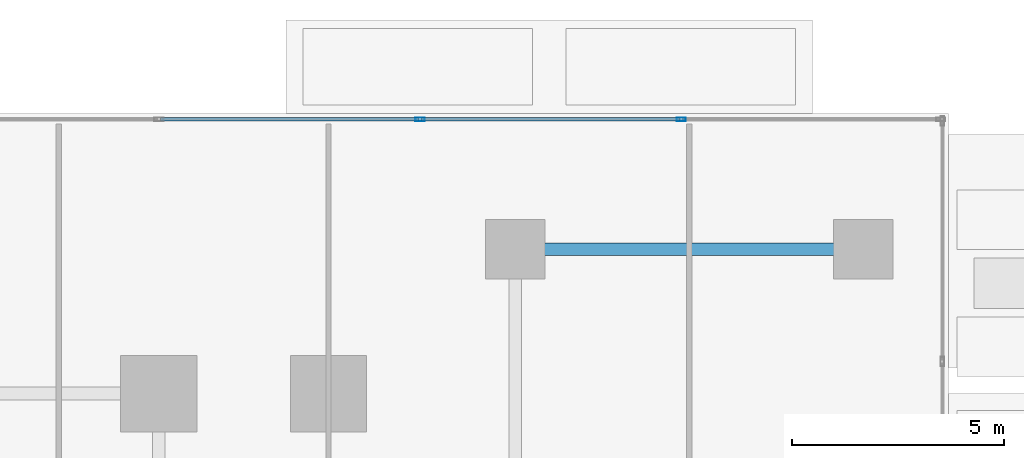
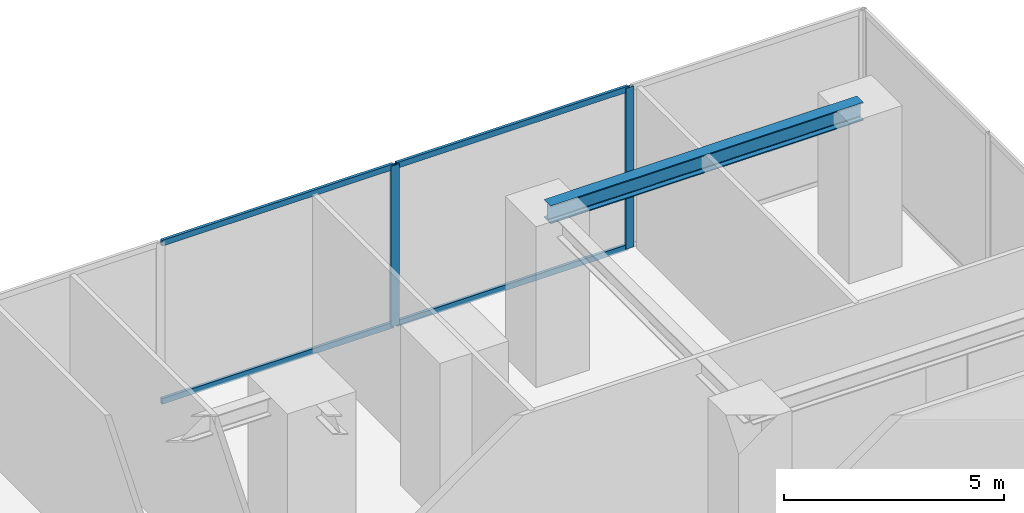
# One storey, part 4 of 17: 6 members, 1 beam, 1 element without a shape of its own.
"""IFC4 building model written with IfcOpenShell, lengths in metres."""

from ifc_helpers import new_model, si_unit, direction, frame, origin, origin_with_axes, origin_2d, place, context, subcontext, project, spatial, hollow_rectangle, i_section, extrude, source, transform, mapped, material, layer, layer_set, material_profile, profile_set, type_object, element, aggregate, save


model = new_model("IFC4")

# Units and contexts
model_context = context("Model", 3, precision=1e-05, world=origin(), true_north=direction((0.0, 1.0)))
body_context = subcontext(model_context, "Body", "Model", "MODEL_VIEW")
ifc_project = project(units=[si_unit("LENGTHUNIT", "METRE"), si_unit("AREAUNIT", "SQUARE_METRE"), si_unit("VOLUMEUNIT", "CUBIC_METRE"), si_unit("PLANEANGLEUNIT", "RADIAN"), si_unit("MASSUNIT", "GRAM", prefix="KILO")], contexts=[model_context])

# Site, building, storey
site_placement = place(None, origin())
site = spatial("IfcSite", under=ifc_project, at=site_placement, CompositionType="ELEMENT")
building_placement = place(site_placement, origin())
building = spatial("IfcBuilding", under=site, at=building_placement, Name="Kolvaren Waterfront Exchange", CompositionType="ELEMENT")
storey_placement = place(building_placement, frame((0.0, 0.0, 5.60009765625)))
storey = spatial("IfcBuildingStorey", under=building, at=storey_placement, Name="L02", CompositionType="ELEMENT", Elevation=5.60009765625)

# Beam
ifc_material_1 = material(Name="Steel S355", Category="steel")
ifc_material_profile_1 = material_profile(ifc_material_1, i_section(OverallWidth=0.300048828125, OverallDepth=0.5, WebThickness=0.014404296875, FlangeThickness=0.028076171875, FilletRadius=0.027099609375, at=origin_2d()), Name="HEB500")
ifc_profile_set_1 = profile_set([ifc_material_profile_1], Name="Steel S355")
beam_type = type_object("IfcBeamType", Name="STR-BM-HEB500", PredefinedType="BEAM", material=ifc_profile_set_1)
beam_placement = place(storey_placement, frame((27.199951171875, 48.0, 4.2099609375), z_axis=(1.0, 0.0, 0.0), x_axis=(0.0, 1.0, 0.0)))
element("IfcBeam", 1, at=beam_placement, inside=storey, type_object=beam_type, Name="L02 podium north girder 2", PredefinedType="BEAM", context=body_context, shape_type="SweptSolid", body=[
    extrude(i_section(OverallWidth=0.300048828125, OverallDepth=0.5, WebThickness=0.014404296875, FlangeThickness=0.028076171875, FilletRadius=0.027099609375, at=origin_2d()), origin(), (0.0, 0.0, 1.0), 8.199951171875),
])

# Curtain wall, members
ifc_material_2 = material(Name="Anodised bronze aluminium 6063-T6", Category="aluminium")
ifc_layer = layer(ifc_material_2, 0.219970703125, Name="Anodised bronze aluminium 6063-T6")
ifc_layer_set = layer_set([ifc_layer], Name="Anodised bronze aluminium 6063-T6")
curtain_wall_type = type_object("IfcCurtainWallType", Name="ARC-CW-SYS1", PredefinedType="USERDEFINED", material=ifc_layer_set)
curtain_wall_placement = place(storey_placement, origin())
curtain_wall = element("IfcCurtainWall", 2, at=curtain_wall_placement, inside=storey, type_object=curtain_wall_type, Name="L02 stick curtain wall CW1 (CW-L02-N2)", ObjectType="STICK CURTAIN WALL", PredefinedType="USERDEFINED")
ifc_material_3 = material(Name="Anodised aluminium 6063-T6", Category="aluminium")
ifc_material_profile_2 = material_profile(ifc_material_3, hollow_rectangle(XDim=0.080078125, YDim=0.219970703125, WallThickness=0.0048828125, at=origin_2d()), Name="ALU-MUL-220x80x5")
ifc_profile_set_2 = profile_set([ifc_material_profile_2], Name="Anodised aluminium 6063-T6")
member_type_1 = type_object("IfcMemberType", Name="ARC-CWM-220", PredefinedType="MULLION", material=ifc_profile_set_2)
shared_shape_1 = source(origin_with_axes(), body_context, "Body", "SweptSolid", [
    extrude(hollow_rectangle(XDim=0.080078125, YDim=0.219970703125, WallThickness=0.0048828125, at=origin_2d()), origin(), (0.0, 0.0, 1.0), 4.4599609375),
])
member_1_placement = place(storey_placement, frame((31.1083984375, 51.06005859375, 0.0), z_axis=(0.0, 0.0, 1.0), x_axis=(0.0, -1.0, 0.0)))
member_1 = element("IfcMember", 3, at=member_1_placement, type_object=member_type_1, Name="CW1 mullion 2", PredefinedType="MULLION", context=body_context, shape_type="MappedRepresentation", body=[
    mapped(shared_shape_1, transform((0.0, 0.0, 0.0), x_axis=(1.0, 0.0, 0.0), y_axis=(0.0, 1.0, 0.0), z_axis=(0.0, 0.0, 1.0), scale=1.0)),
])
member_2_placement = place(storey_placement, frame((24.956787109375, 51.06005859375, 0.0), z_axis=(0.0, 0.0, 1.0), x_axis=(0.0, -1.0, 0.0)))
member_2 = element("IfcMember", 4, at=member_2_placement, type_object=member_type_1, Name="CW1 mullion 3", PredefinedType="MULLION", context=body_context, shape_type="MappedRepresentation", body=[
    mapped(shared_shape_1, transform((0.0, 0.0, 0.0), x_axis=(1.0, 0.0, 0.0), y_axis=(0.0, 1.0, 0.0), z_axis=(0.0, 0.0, 1.0), scale=1.0)),
])
ifc_material_profile_3 = material_profile(ifc_material_3, hollow_rectangle(XDim=0.074951171875, YDim=0.159912109375, WallThickness=0.00439453125, at=origin_2d()), Name="ALU-TRN-160x75x4.5")
ifc_profile_set_3 = profile_set([ifc_material_profile_3], Name="Anodised aluminium 6063-T6")
member_type_2 = type_object("IfcMemberType", Name="ARC-CWT-160", PredefinedType="USERDEFINED", material=ifc_profile_set_3)
shared_shape_2 = source(origin_with_axes(), body_context, "Body", "SweptSolid", [
    extrude(hollow_rectangle(XDim=0.074951171875, YDim=0.159912109375, WallThickness=0.00439453125, at=origin_2d()), origin(), (0.0, 0.0, 1.0), 6.07177734375),
])
member_3_placement = place(storey_placement, frame((31.068359375, 51.06005859375, 0.037353515625), z_axis=(-1.0, 0.0, 0.0), x_axis=(0.0, -1.0, 0.0)))
member_3 = element("IfcMember", 5, at=member_3_placement, type_object=member_type_2, Name="CW1 transom 2.1", ObjectType="TRANSOM", PredefinedType="USERDEFINED", context=body_context, shape_type="MappedRepresentation", body=[
    mapped(shared_shape_2, transform((0.0, 0.0, 0.0), x_axis=(1.0, 0.0, 0.0), y_axis=(0.0, 1.0, 0.0), z_axis=(0.0, 0.0, 1.0), scale=1.0)),
])
member_4_placement = place(storey_placement, frame((31.068359375, 51.06005859375, 4.42236328125), z_axis=(-1.0, 0.0, 0.0), x_axis=(0.0, -1.0, 0.0)))
member_4 = element("IfcMember", 6, at=member_4_placement, type_object=member_type_2, Name="CW1 transom 2.2", ObjectType="TRANSOM", PredefinedType="USERDEFINED", context=body_context, shape_type="MappedRepresentation", body=[
    mapped(shared_shape_2, transform((0.0, 0.0, 0.0), x_axis=(1.0, 0.0, 0.0), y_axis=(0.0, 1.0, 0.0), z_axis=(0.0, 0.0, 1.0), scale=1.0)),
])
member_5_placement = place(storey_placement, frame((24.916748046875, 51.06005859375, 0.037353515625), z_axis=(-1.0, 0.0, 0.0), x_axis=(0.0, -1.0, 0.0)))
member_5 = element("IfcMember", 7, at=member_5_placement, type_object=member_type_2, Name="CW1 transom 3.1", ObjectType="TRANSOM", PredefinedType="USERDEFINED", context=body_context, shape_type="MappedRepresentation", body=[
    mapped(shared_shape_2, transform((0.0, 0.0, 0.0), x_axis=(1.0, 0.0, 0.0), y_axis=(0.0, 1.0, 0.0), z_axis=(0.0, 0.0, 1.0), scale=1.0)),
])
member_6_placement = place(storey_placement, frame((24.916748046875, 51.06005859375, 4.42236328125), z_axis=(-1.0, 0.0, 0.0), x_axis=(0.0, -1.0, 0.0)))
member_6 = element("IfcMember", 8, at=member_6_placement, type_object=member_type_2, Name="CW1 transom 3.2", ObjectType="TRANSOM", PredefinedType="USERDEFINED", context=body_context, shape_type="MappedRepresentation", body=[
    mapped(shared_shape_2, transform((0.0, 0.0, 0.0), x_axis=(1.0, 0.0, 0.0), y_axis=(0.0, 1.0, 0.0), z_axis=(0.0, 0.0, 1.0), scale=1.0)),
])
aggregate(curtain_wall, [member_1, member_2, member_3, member_4, member_5, member_6])

save(model, "model.ifc")
